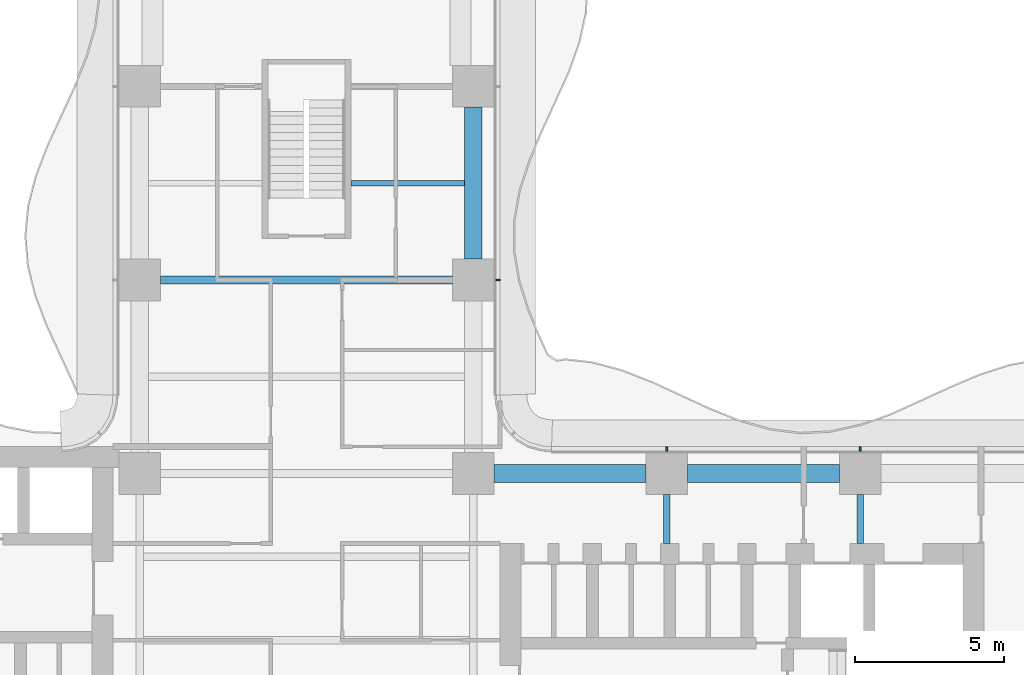
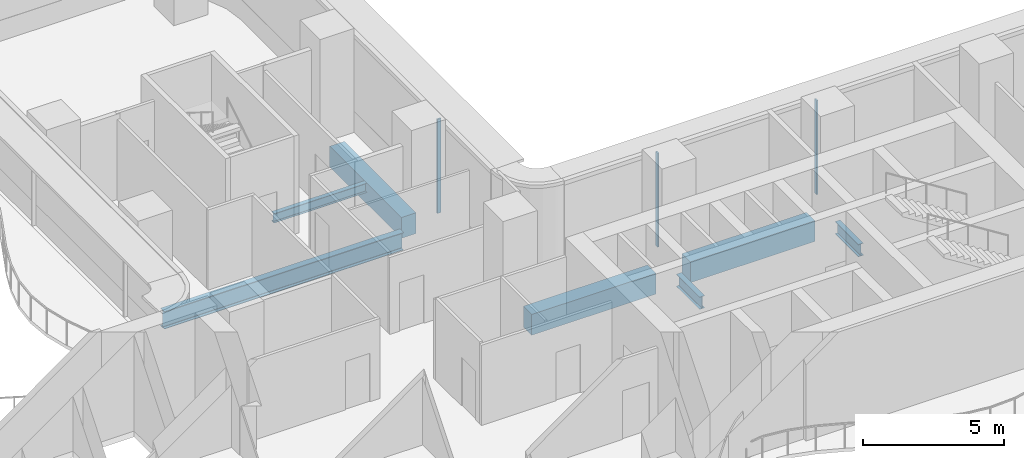
# One storey, part 10 of 22: 7 beams, 3 members, 2 elements without a shape of their own.
"""IFC4 building model written with IfcOpenShell, lengths in metres."""

import ifcopenshell
import ifcopenshell.guid

model = None  # the IFC model being written
_history = None  # IfcOwnerHistory: only IFC2X3 demands one
_inside = {}  # id of a spatial element -> (the spatial element, [elements in it])
_under = {}  # id of a project, library or spatial element -> (it, [spatial elements below it])
_declared = {}  # id of a project -> (the project, [libraries it declares])
_typed = {}  # id of a type object -> (the type object, [elements of that type])
_made_of = {}  # id of a material, layer set ... -> (it, [elements and type objects made of it])


def new_model(schema):
    """Start an empty IFC model of exactly this schema.

    Asked for "IFC4X3", IfcOpenShell would pick the latest addendum, in which some entities
    have other attributes; the version numbers below select the first issue.
    IFC2X3 requires an IfcOwnerHistory on every rooted entity: one is made here for all.
    """
    global model, _history
    if schema == "IFC4X3":
        model = ifcopenshell.file(schema_version=(4, 3, 0, 0))
    else:
        model = ifcopenshell.file(schema=schema)
    _inside.clear()
    _under.clear()
    _declared.clear()
    _typed.clear()
    _made_of.clear()
    _history = None
    if model.schema == "IFC2X3":
        org = make("IfcOrganization", Name="unknown")
        user = make(
            "IfcPersonAndOrganization",
            ThePerson=make("IfcPerson", FamilyName="unknown"),
            TheOrganization=org,
        )
        app = make(
            "IfcApplication",
            ApplicationDeveloper=org,
            Version="unknown",
            ApplicationFullName="unknown",
            ApplicationIdentifier="unknown",
        )
        _history = make(
            "IfcOwnerHistory",
            OwningUser=user,
            OwningApplication=app,
            ChangeAction="ADDED",
            CreationDate=0,
        )
    return model


def make(cls, **values):
    """One entity of the class cls with the attributes given. An attribute that is None is left unset."""
    return model.create_entity(
        cls, **{name: value for name, value in values.items() if value is not None}
    )


def rooted(cls, **values):
    """An entity with a GlobalId (a new one), such as an element, a storey or a relation."""
    return make(cls, GlobalId=ifcopenshell.guid.new(), OwnerHistory=_history, **values)


def si_unit(unit_type, name, prefix=None):
    """IfcSIUnit, for example si_unit("LENGTHUNIT", "METRE", prefix="MILLI")."""
    return make("IfcSIUnit", UnitType=unit_type, Prefix=prefix, Name=name)


def assignment(units):
    """IfcUnitAssignment: the units of a project."""
    return None if units is None else make("IfcUnitAssignment", Units=units)


def point(xyz):
    """IfcCartesianPoint."""
    return None if xyz is None else make("IfcCartesianPoint", Coordinates=xyz)


def direction(xyz):
    """IfcDirection."""
    return None if xyz is None else make("IfcDirection", DirectionRatios=xyz)


def frame(location, z_axis=None, x_axis=None):
    """IfcAxis2Placement3D, a coordinate frame: its origin and axes. An axis left out is left unset."""
    return make(
        "IfcAxis2Placement3D",
        Location=point(location),
        Axis=direction(z_axis),
        RefDirection=direction(x_axis),
    )


def frame_2d(location, x_axis=None):
    """IfcAxis2Placement2D, a coordinate frame in the plane: its origin and x axis."""
    return make(
        "IfcAxis2Placement2D", Location=point(location), RefDirection=direction(x_axis)
    )


def origin():
    """The frame at (0, 0, 0) with its axes left unset."""
    return frame((0.0, 0.0, 0.0))


def origin_2d():
    """The frame at (0, 0) in the plane with its x axis left unset."""
    return frame_2d((0.0, 0.0))


def place(relative_to, where):
    """IfcLocalPlacement: puts the frame where relative to a parent placement (None: the world)."""
    return make(
        "IfcLocalPlacement", PlacementRelTo=relative_to, RelativePlacement=where
    )


def context(
    kind, dimensions, precision=None, world=None, true_north=None, identifier=None
):
    """IfcGeometricRepresentationContext, for example the 3D "Model" context."""
    return make(
        "IfcGeometricRepresentationContext",
        ContextIdentifier=identifier,
        ContextType=kind,
        CoordinateSpaceDimension=dimensions,
        Precision=precision,
        WorldCoordinateSystem=world,
        TrueNorth=true_north,
    )


def subcontext(parent, identifier, kind, view, scale=None):
    """IfcGeometricRepresentationSubContext, for example "Body" below "Model"."""
    return make(
        "IfcGeometricRepresentationSubContext",
        ContextIdentifier=identifier,
        ContextType=kind,
        ParentContext=parent,
        TargetScale=scale,
        TargetView=view,
    )


def project(units=None, contexts=None):
    """IfcProject with its units and contexts."""
    return rooted(
        "IfcProject",
        Name="project",
        RepresentationContexts=contexts,
        UnitsInContext=assignment(units),
    )


def spatial(cls, under=None, at=None, **own):
    """A site, building, storey or space (cls), placed at a placement, below another one or the project."""
    s = rooted(cls, ObjectPlacement=at, **own)
    if under is not None:
        _under.setdefault(under.id(), (under, []))[1].append(s)
    return s


def profile(cls, at=None, kind="AREA", **sizes):
    """A parametric profile (cls). Its sizes go by their IFC names, for example OverallWidth=200.0."""
    return make(cls, ProfileType=kind, Position=at, **sizes)


def rectangle(**sizes):
    """IfcRectangleProfileDef."""
    return profile("IfcRectangleProfileDef", **sizes)


def i_section(**sizes):
    """IfcIShapeProfileDef."""
    return profile("IfcIShapeProfileDef", **sizes)


def extrude(swept, where, along, depth):
    """IfcExtrudedAreaSolid: the profile swept, set in the frame where, extruded along a direction by depth."""
    return make(
        "IfcExtrudedAreaSolid",
        SweptArea=swept,
        Position=where,
        ExtrudedDirection=direction(along),
        Depth=depth,
    )


def shape(context_of_items, identifier, shape_type, items):
    """IfcShapeRepresentation: the items that make up one representation, for example the "Body"."""
    return make(
        "IfcShapeRepresentation",
        ContextOfItems=context_of_items,
        RepresentationIdentifier=identifier,
        RepresentationType=shape_type,
        Items=items,
    )


def source(mapping_origin, context_of_items, identifier, shape_type, items):
    """IfcRepresentationMap: a shape defined once, which mapped items show again and again."""
    return make(
        "IfcRepresentationMap",
        MappingOrigin=mapping_origin,
        MappedRepresentation=shape(context_of_items, identifier, shape_type, items),
    )


def transform(
    local_origin,
    x_axis=None,
    y_axis=None,
    z_axis=None,
    scale=None,
    scale2=None,
    scale3=None,
    uniform=True,
):
    """IfcCartesianTransformationOperator3D, or its non-uniform kind. x_axis, y_axis, z_axis: its Axis1, 2, 3."""
    if uniform:
        return make(
            "IfcCartesianTransformationOperator3D",
            Axis1=direction(x_axis),
            Axis2=direction(y_axis),
            LocalOrigin=point(local_origin),
            Scale=scale,
            Axis3=direction(z_axis),
        )
    return make(
        "IfcCartesianTransformationOperator3DnonUniform",
        Axis1=direction(x_axis),
        Axis2=direction(y_axis),
        LocalOrigin=point(local_origin),
        Scale=scale,
        Axis3=direction(z_axis),
        Scale2=scale2,
        Scale3=scale3,
    )


def mapped(mapping_source, mapping_target):
    """IfcMappedItem: shows the shape of a source again, moved by a transform."""
    return make(
        "IfcMappedItem", MappingSource=mapping_source, MappingTarget=mapping_target
    )


def material(Name=None, Category=None):
    """IfcMaterial."""
    return make("IfcMaterial", Name=Name, Category=Category)


def layer(
    of_material, thickness, ventilated=None, Name=None, Category=None, Priority=None
):
    """IfcMaterialLayer: one layer of a wall or slab, of a material (None: an air gap)."""
    return make(
        "IfcMaterialLayer",
        Material=of_material,
        LayerThickness=thickness,
        IsVentilated=ventilated,
        Name=Name,
        Category=Category,
        Priority=Priority,
    )


def layer_set(layers, Name=None):
    """IfcMaterialLayerSet."""
    return make("IfcMaterialLayerSet", MaterialLayers=layers, LayerSetName=Name)


def material_profile(
    of_material, cross_section, Name=None, Category=None, Priority=None
):
    """IfcMaterialProfile: a cross section and its material."""
    return make(
        "IfcMaterialProfile",
        Name=Name,
        Material=of_material,
        Profile=cross_section,
        Priority=Priority,
        Category=Category,
    )


def profile_set(profiles, Name=None, composite=None):
    """IfcMaterialProfileSet."""
    return make(
        "IfcMaterialProfileSet",
        Name=Name,
        MaterialProfiles=profiles,
        CompositeProfile=composite,
    )


def made_of(thing, what):
    """Note that an element or type object is made of a material, layer set ...; save() writes the relation."""
    if what is not None:
        _made_of.setdefault(what.id(), (what, []))[1].append(thing)
    return thing


def type_object(cls, material=None, **own):
    """A type object (cls), such as IfcWallType, which elements share."""
    return made_of(rooted(cls, **own), material)


def element(
    cls,
    number,
    at=None,
    inside=None,
    cuts=None,
    type_object=None,
    material=None,
    context=None,
    identifier="Body",
    shape_type=None,
    held_by="IfcProductDefinitionShape",
    body=None,
    shapes=None,
    **own,
):
    """One element of the class cls, such as IfcWall. Its Tag is "e" and its number.

    at: its placement. inside: the storey or other place that contains it. cuts: it is an
    opening in that element (IfcRelVoidsElement). A single representation is given by context,
    identifier, shape_type and body (its items); several are given by shapes. held_by: the class
    of the entity that holds the representations. save() writes the other relations.
    """
    e = rooted(cls, Tag="e%d" % number, ObjectPlacement=at, **own)
    if body is not None:
        shapes = [shape(context, identifier, shape_type, body)]
    if shapes is not None:
        e.Representation = make(held_by, Representations=shapes)
    if inside is not None:
        _inside.setdefault(inside.id(), (inside, []))[1].append(e)
    if cuts is not None:
        rooted(
            "IfcRelVoidsElement", RelatingBuildingElement=cuts, RelatedOpeningElement=e
        )
    if type_object is not None:
        _typed.setdefault(type_object.id(), (type_object, []))[1].append(e)
    return made_of(e, material)


def aggregate(whole, parts):
    """IfcRelAggregates: a whole, such as a stair, and the parts it consists of."""
    return rooted("IfcRelAggregates", RelatingObject=whole, RelatedObjects=parts)


def save(model, path):
    """Write the relations noted so far, then the file.

    IfcRelAggregates (storeys below a building ...), IfcRelContainedInSpatialStructure (elements
    in a storey), IfcRelDefinesByType, IfcRelAssociatesMaterial and IfcRelDeclares: one each for
    every whole, place, type object, material and project.
    """
    for whole, parts in _under.values():
        aggregate(whole, parts)
    for where, things in _inside.values():
        rooted(
            "IfcRelContainedInSpatialStructure",
            RelatedElements=things,
            RelatingStructure=where,
        )
    for kind, things in _typed.values():
        rooted("IfcRelDefinesByType", RelatedObjects=things, RelatingType=kind)
    for what, things in _made_of.values():
        rooted("IfcRelAssociatesMaterial", RelatedObjects=things, RelatingMaterial=what)
    for by, libraries in _declared.values():
        rooted("IfcRelDeclares", RelatingContext=by, RelatedDefinitions=libraries)
    model.write(path)


model = new_model("IFC4")

# Units and contexts
model_context = context("Model", 3, precision=1e-05, world=origin(), true_north=direction((0.0, 1.0)))
body_context = subcontext(model_context, "Body", "Model", "MODEL_VIEW")
ifc_project = project(units=[si_unit("LENGTHUNIT", "METRE"), si_unit("AREAUNIT", "SQUARE_METRE"), si_unit("VOLUMEUNIT", "CUBIC_METRE"), si_unit("PLANEANGLEUNIT", "RADIAN"), si_unit("MASSUNIT", "GRAM", prefix="KILO")], contexts=[model_context])

# Site, building, storey
site_placement = place(None, origin())
site = spatial("IfcSite", under=ifc_project, at=site_placement, CompositionType="ELEMENT")
building_placement = place(site_placement, origin())
building = spatial("IfcBuilding", under=site, at=building_placement, Name="Trellis Farm Tower", CompositionType="ELEMENT")
storey_placement = place(building_placement, frame((0.0, 0.0, 52.0)))
storey = spatial("IfcBuildingStorey", under=building, at=storey_placement, Name="L10", CompositionType="ELEMENT", Elevation=52.0)

# Beams
ifc_material_1 = material(Name="Concrete C60/75", Category="concrete")
ifc_material_profile_1 = material_profile(ifc_material_1, rectangle(XDim=0.60009765625, YDim=0.89990234375, at=origin_2d()), Name="RC spandrel beam 600x900 C60/75")
ifc_profile_set_1 = profile_set([ifc_material_profile_1], Name="Concrete C60/75")
beam_type_1 = type_object("IfcBeamType", Name="RC spandrel beam 600x900 C60/75", PredefinedType="SPANDREL", material=ifc_profile_set_1)
shared_shape_1 = source(origin(), body_context, "Body", "SweptSolid", [
    extrude(rectangle(XDim=0.60009765625, YDim=0.89990234375, at=origin_2d()), origin(), (0.0, 0.0, 1.0), 5.099853515625),
])
for number, where, z_axis, x_axis, name in (
    (1, (6.300048828125, 5.60009765625, -0.699951171875), (1.0, 0.0, 0.0), (0.0, 1.0, 0.0), "Girder"),
    (2, (12.800048828125, 5.60009765625, -0.699951171875), (1.0, 0.0, 0.0), (0.0, 1.0, 0.0), "Girder"),
    (3, (5.60009765625, 12.800048828125, -0.699951171875), (0.0, 1.0, 0.0), (-1.0, 0.0, 0.0), "Girder"),
):
    element("IfcBeam", number, at=place(storey_placement, frame(where, z_axis=z_axis, x_axis=x_axis)), inside=storey, type_object=beam_type_1, Name=name, PredefinedType="SPANDREL", context=body_context, shape_type="MappedRepresentation", body=[
        mapped(shared_shape_1, transform((0.0, 0.0, 0.0))),
    ])
ifc_material_2 = material(Name="Steel S355", Category="steel")
ifc_material_profile_2 = material_profile(ifc_material_2, i_section(OverallWidth=0.2666015625, OverallDepth=0.76220703125, WebThickness=0.014404296875, FlangeThickness=0.021484375, FilletRadius=0.0166015625, at=origin_2d()), Name="UB 762x267x173")
ifc_profile_set_2 = profile_set([ifc_material_profile_2], Name="Steel S355")
beam_type_2 = type_object("IfcBeamType", Name="UB 762x267x173", PredefinedType="BEAM", material=ifc_profile_set_2)
shared_shape_2 = source(origin(), body_context, "Body", "SweptSolid", [
    extrude(i_section(OverallWidth=0.2666015625, OverallDepth=0.76220703125, WebThickness=0.014404296875, FlangeThickness=0.021484375, FilletRadius=0.0166015625, at=origin_2d()), origin(), (0.0, 0.0, 1.0), 9.7998046875),
])
beam_1_placement = place(storey_placement, frame((-4.89990234375, 12.10009765625, -0.631103515625), z_axis=(1.0, 0.0, 0.0), x_axis=(0.0, 1.0, 0.0)))
element("IfcBeam", 4, at=beam_1_placement, inside=storey, type_object=beam_type_2, Name="Girder", PredefinedType="BEAM", context=body_context, shape_type="MappedRepresentation", body=[
    mapped(shared_shape_2, transform((0.0, 0.0, 0.0))),
])
ifc_material_profile_3 = material_profile(ifc_material_2, i_section(OverallWidth=0.209228515625, OverallDepth=0.533203125, WebThickness=0.010009765625, FlangeThickness=0.015625, FilletRadius=0.0126953125, at=origin_2d()), Name="UB 533x210x92")
ifc_profile_set_3 = profile_set([ifc_material_profile_3], Name="Steel S355")
beam_type_3 = type_object("IfcBeamType", Name="UB 533x210x92", PredefinedType="BEAM", material=ifc_profile_set_3)
shared_shape_3 = source(origin(), body_context, "Body", "SweptSolid", [
    extrude(i_section(OverallWidth=0.209228515625, OverallDepth=0.533203125, WebThickness=0.010009765625, FlangeThickness=0.015625, FilletRadius=0.0126953125, at=origin_2d()), origin(), (0.0, 0.0, 1.0), 1.64990234375),
])
for number, where, z_axis, x_axis, name in (
    (5, (12.10009765625, 3.25, -0.5166015625), (0.0, 1.0, 0.0), (-1.0, 0.0, 0.0), "Girder"),
    (6, (18.60009765625, 3.25, -0.5166015625), (0.0, 1.0, 0.0), (-1.0, 0.0, 0.0), "Girder"),
):
    element("IfcBeam", number, at=place(storey_placement, frame(where, z_axis=z_axis, x_axis=x_axis)), inside=storey, type_object=beam_type_3, Name=name, PredefinedType="BEAM", context=body_context, shape_type="MappedRepresentation", body=[
        mapped(shared_shape_3, transform((0.0, 0.0, 0.0))),
    ])
ifc_material_profile_4 = material_profile(ifc_material_2, i_section(OverallWidth=0.177978515625, OverallDepth=0.406494140625, WebThickness=0.0078125, FlangeThickness=0.0126953125, FilletRadius=0.01025390625, at=origin_2d()), Name="UB 406x178x60")
ifc_profile_set_4 = profile_set([ifc_material_profile_4], Name="Steel S355")
beam_type_4 = type_object("IfcBeamType", Name="UB 406x178x60 joist", PredefinedType="JOIST", material=ifc_profile_set_4)
shared_shape_4 = source(origin(), body_context, "Body", "SweptSolid", [
    extrude(i_section(OverallWidth=0.177978515625, OverallDepth=0.406494140625, WebThickness=0.0078125, FlangeThickness=0.0126953125, FilletRadius=0.01025390625, at=origin_2d()), origin(), (0.0, 0.0, 1.0), 3.800048828125),
])
beam_2_placement = place(storey_placement, frame((1.5, 15.35009765625, -0.453125), z_axis=(1.0, 0.0, 0.0), x_axis=(0.0, 1.0, 0.0)))
element("IfcBeam", 7, at=beam_2_placement, inside=storey, type_object=beam_type_4, Name="Floor beam", PredefinedType="JOIST", context=body_context, shape_type="MappedRepresentation", body=[
    mapped(shared_shape_4, transform((0.0, 0.0, 0.0))),
])

# Curtain wall, members
ifc_material_3 = material(Name="Aluminium and glass curtain wall", Category="aluminium")
ifc_layer = layer(ifc_material_3, 0.18994140625)
ifc_layer_set = layer_set([ifc_layer], Name="RIBBON CURTAIN WALL CW1")
curtain_wall_type = type_object("IfcCurtainWallType", Name="RIBBON CURTAIN WALL CW1", PredefinedType="NOTDEFINED", material=ifc_layer_set)
placement = place(storey_placement, origin())
curtain_wall_1 = element("IfcCurtainWall", 8, at=placement, inside=storey, type_object=curtain_wall_type, Name="CW1 008", PredefinedType="NOTDEFINED")
ifc_material_4 = material(Name="Aluminium extrusion 6063-T6", Category="aluminium")
ifc_material_profile_5 = material_profile(ifc_material_4, rectangle(XDim=0.06005859375, YDim=0.14990234375, at=origin_2d()), Name="MULLION 60x150")
ifc_profile_set_5 = profile_set([ifc_material_profile_5], Name="Aluminium extrusion 6063-T6")
member_type = type_object("IfcMemberType", Name="CW1 MULLION 60x150", PredefinedType="MULLION", material=ifc_profile_set_5)
shared_shape_5 = source(origin(), body_context, "Body", "SweptSolid", [
    extrude(rectangle(XDim=0.06005859375, YDim=0.14990234375, at=origin_2d()), origin(), (0.0, 0.0, 1.0), 4.070068359375),
])
member_1_placement = place(storey_placement, frame((18.60009765625, 6.425048828125, 0.0), z_axis=(0.0, 0.0, 1.0), x_axis=(-1.0, 0.0, 0.0)))
member_1 = element("IfcMember", 9, at=member_1_placement, type_object=member_type, Name="MU1 008-02", PredefinedType="MULLION", context=body_context, shape_type="MappedRepresentation", body=[
    mapped(shared_shape_5, transform((0.0, 0.0, 0.0))),
])
member_2_placement = place(storey_placement, frame((12.10009765625, 6.425048828125, 0.0), z_axis=(0.0, 0.0, 1.0), x_axis=(-1.0, 0.0, 0.0)))
member_2 = element("IfcMember", 10, at=member_2_placement, type_object=member_type, Name="MU1 008-03", PredefinedType="MULLION", context=body_context, shape_type="MappedRepresentation", body=[
    mapped(shared_shape_5, transform((0.0, 0.0, 0.0))),
])
aggregate(curtain_wall_1, [member_1, member_2])

# Curtain wall, member
curtain_wall_2 = element("IfcCurtainWall", 11, at=placement, inside=storey, type_object=curtain_wall_type, Name="CW1 009", PredefinedType="NOTDEFINED")
member_3_placement = place(storey_placement, frame((6.425048828125, 12.10009765625, 0.0), z_axis=(0.0, 0.0, 1.0), x_axis=(0.0, 1.0, 0.0)))
member_3 = element("IfcMember", 12, at=member_3_placement, type_object=member_type, Name="MU1 009-01", PredefinedType="MULLION", context=body_context, shape_type="MappedRepresentation", body=[
    mapped(shared_shape_5, transform((0.0, 0.0, 0.0))),
])
aggregate(curtain_wall_2, [member_3])

save(model, "model.ifc")
